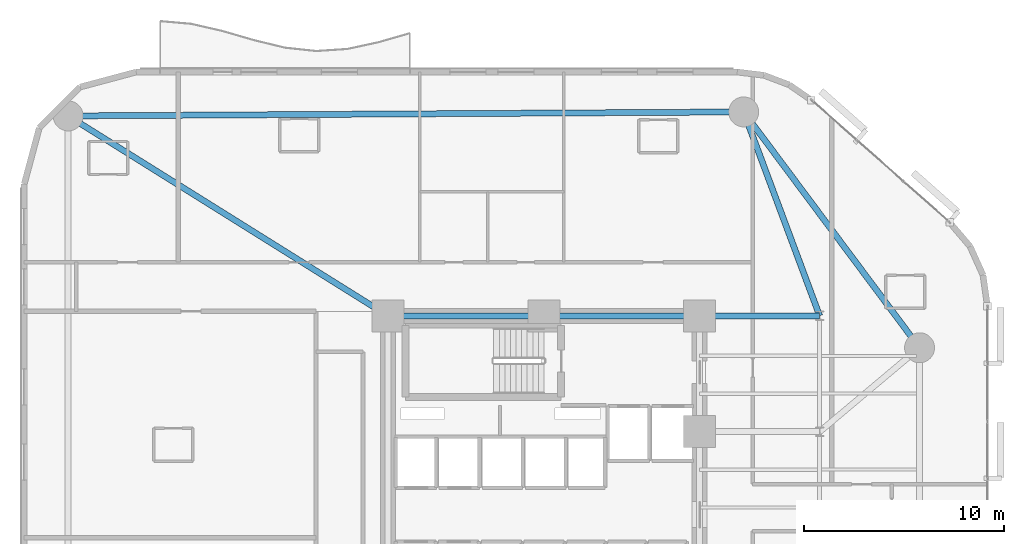
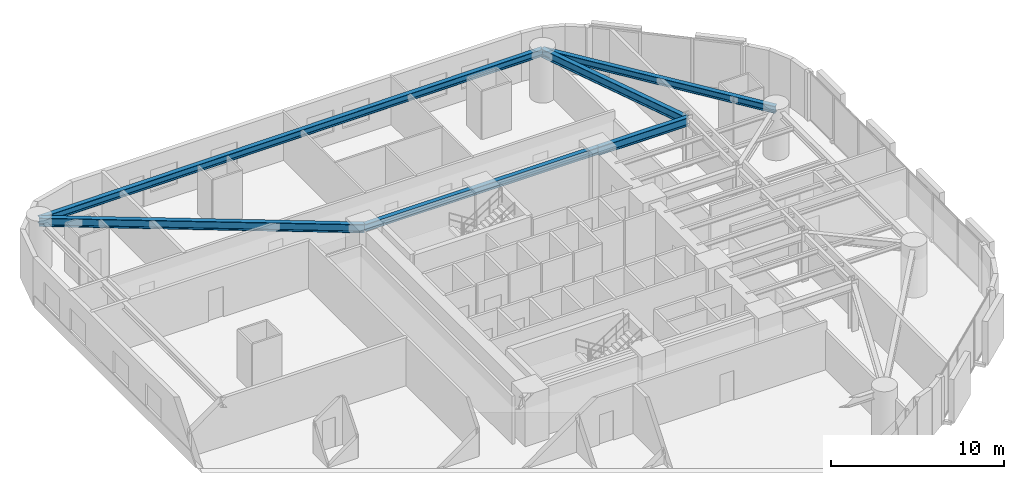
# One storey, part 7 of 17: 6 beams.
"""IFC4 building model written with IfcOpenShell, lengths in metres."""

from ifc_helpers import new_model, si_unit, direction, frame, origin, origin_2d, place, context, subcontext, project, spatial, i_section, extrude, material, material_profile, profile_set, type_object, element, save


model = new_model("IFC4")

# Units and contexts
model_context = context("Model", 3, precision=1e-05, world=origin(), true_north=direction((0.0, 1.0)))
body_context = subcontext(model_context, "Body", "Model", "MODEL_VIEW")
ifc_project = project(units=[si_unit("LENGTHUNIT", "METRE"), si_unit("AREAUNIT", "SQUARE_METRE"), si_unit("VOLUMEUNIT", "CUBIC_METRE"), si_unit("PLANEANGLEUNIT", "RADIAN"), si_unit("MASSUNIT", "GRAM", prefix="KILO")], contexts=[model_context])

# Site, building, storey
site_placement = place(None, origin())
site = spatial("IfcSite", under=ifc_project, at=site_placement, CompositionType="ELEMENT")
building_placement = place(site_placement, origin())
building = spatial("IfcBuilding", under=site, at=building_placement, Name="An Khanh Terracotta Commons", CompositionType="ELEMENT")
storey_placement = place(building_placement, frame((0.0, 0.0, 32.39990234375)))
storey = spatial("IfcBuildingStorey", under=building, at=storey_placement, Name="L08", CompositionType="ELEMENT", Elevation=32.39990234375)

# Beams
ifc_material = material(Name="Steel S355J2", Category="steel")
ifc_material_profile_1 = material_profile(ifc_material, i_section(OverallWidth=0.300048828125, OverallDepth=0.5, WebThickness=0.014404296875, FlangeThickness=0.028076171875, FilletRadius=0.027099609375, at=origin_2d()), Name="HEB500")
ifc_profile_set_1 = profile_set([ifc_material_profile_1], Name="Steel S355J2")
beam_type_1 = type_object("IfcBeamType", Name="BM-HEB500", PredefinedType="BEAM", material=ifc_profile_set_1)
beam_1_placement = place(storey_placement, frame((21.60009765625, 33.60009765625, 3.150146484375), z_axis=(1.0, 0.0, 0.0), x_axis=(0.0, 1.0, 0.0)))
element("IfcBeam", 1, at=beam_1_placement, inside=storey, type_object=beam_type_1, Name="L08 Core North Coupling Girder", PredefinedType="BEAM", context=body_context, shape_type="SweptSolid", body=[
    extrude(i_section(OverallWidth=0.300048828125, OverallDepth=0.5, WebThickness=0.014404296875, FlangeThickness=0.028076171875, FilletRadius=0.027099609375, at=origin_2d()), origin(), (0.0, 0.0, 1.0), 15.599853515625),
])
beam_2_placement = place(storey_placement, frame((48.199951171875, 32.0, 3.150146484375), z_axis=(-0.59782442166, 0.801627070942, 0.0), x_axis=(-0.801627070942, -0.59782442166, 0.0)))
element("IfcBeam", 2, at=beam_2_placement, inside=storey, type_object=beam_type_1, Name="L08 Perimeter Ring Spandrel 4", PredefinedType="BEAM", context=body_context, shape_type="SweptSolid", body=[
    extrude(i_section(OverallWidth=0.300048828125, OverallDepth=0.5, WebThickness=0.014404296875, FlangeThickness=0.028076171875, FilletRadius=0.027099609375, at=origin_2d()), origin(), (0.0, 0.0, 1.0), 14.72021484375),
])
beam_3_placement = place(storey_placement, frame((39.39990234375, 43.800048828125, 3.150146484375), z_axis=(-0.999982502414, -0.005915645817, 0.0), x_axis=(0.005915645817, -0.999982502414, 0.0)))
element("IfcBeam", 3, at=beam_3_placement, inside=storey, type_object=beam_type_1, Name="L08 Perimeter Ring Spandrel 5", PredefinedType="BEAM", context=body_context, shape_type="SweptSolid", body=[
    extrude(i_section(OverallWidth=0.300048828125, OverallDepth=0.5, WebThickness=0.014404296875, FlangeThickness=0.028076171875, FilletRadius=0.027099609375, at=origin_2d()), origin(), (0.0, 0.0, 1.0), 33.80029296875),
])
ifc_material_profile_2 = material_profile(ifc_material, i_section(OverallWidth=0.300048828125, OverallDepth=0.60009765625, WebThickness=0.015380859375, FlangeThickness=0.030029296875, FilletRadius=0.027099609375, at=origin_2d()), Name="HEB600")
ifc_profile_set_2 = profile_set([ifc_material_profile_2], Name="Steel S355J2")
beam_type_2 = type_object("IfcBeamType", Name="BM-HEB600", PredefinedType="BEAM", material=ifc_profile_set_2)
beam_4_placement = place(storey_placement, frame((37.199951171875, 33.60009765625, 3.10009765625), z_axis=(1.0, 0.0, 0.0), x_axis=(0.0, 1.0, 0.0)))
element("IfcBeam", 4, at=beam_4_placement, inside=storey, type_object=beam_type_2, Name="L08 East Primary Floor Girder 4", PredefinedType="BEAM", context=body_context, shape_type="SweptSolid", body=[
    extrude(i_section(OverallWidth=0.300048828125, OverallDepth=0.60009765625, WebThickness=0.015380859375, FlangeThickness=0.030029296875, FilletRadius=0.027099609375, at=origin_2d()), origin(), (0.0, 0.0, 1.0), 6.0),
])
beam_5_placement = place(storey_placement, frame((39.39990234375, 43.800048828125, 3.10009765625), z_axis=(0.349114429862, -0.937080100558, 0.0), x_axis=(0.937080100558, 0.349114429862, 0.0)))
element("IfcBeam", 5, at=beam_5_placement, inside=storey, type_object=beam_type_2, Name="L08 Mega-Column Tie Girder 5", PredefinedType="BEAM", context=body_context, shape_type="SweptSolid", body=[
    extrude(i_section(OverallWidth=0.300048828125, OverallDepth=0.60009765625, WebThickness=0.015380859375, FlangeThickness=0.030029296875, FilletRadius=0.027099609375, at=origin_2d()), origin(), (0.0, 0.0, 1.0), 10.884765625),
])
beam_6_placement = place(storey_placement, frame((5.60009765625, 43.60009765625, 3.10009765625), z_axis=(0.847998304005, -0.529998940003, 0.0), x_axis=(0.529998940003, 0.847998304005, 0.0)))
element("IfcBeam", 6, at=beam_6_placement, inside=storey, type_object=beam_type_2, Name="L08 Mega-Column Tie Girder 6", PredefinedType="BEAM", context=body_context, shape_type="SweptSolid", body=[
    extrude(i_section(OverallWidth=0.300048828125, OverallDepth=0.60009765625, WebThickness=0.015380859375, FlangeThickness=0.030029296875, FilletRadius=0.027099609375, at=origin_2d()), origin(), (0.0, 0.0, 1.0), 18.867919921875),
])

save(model, "model.ifc")
